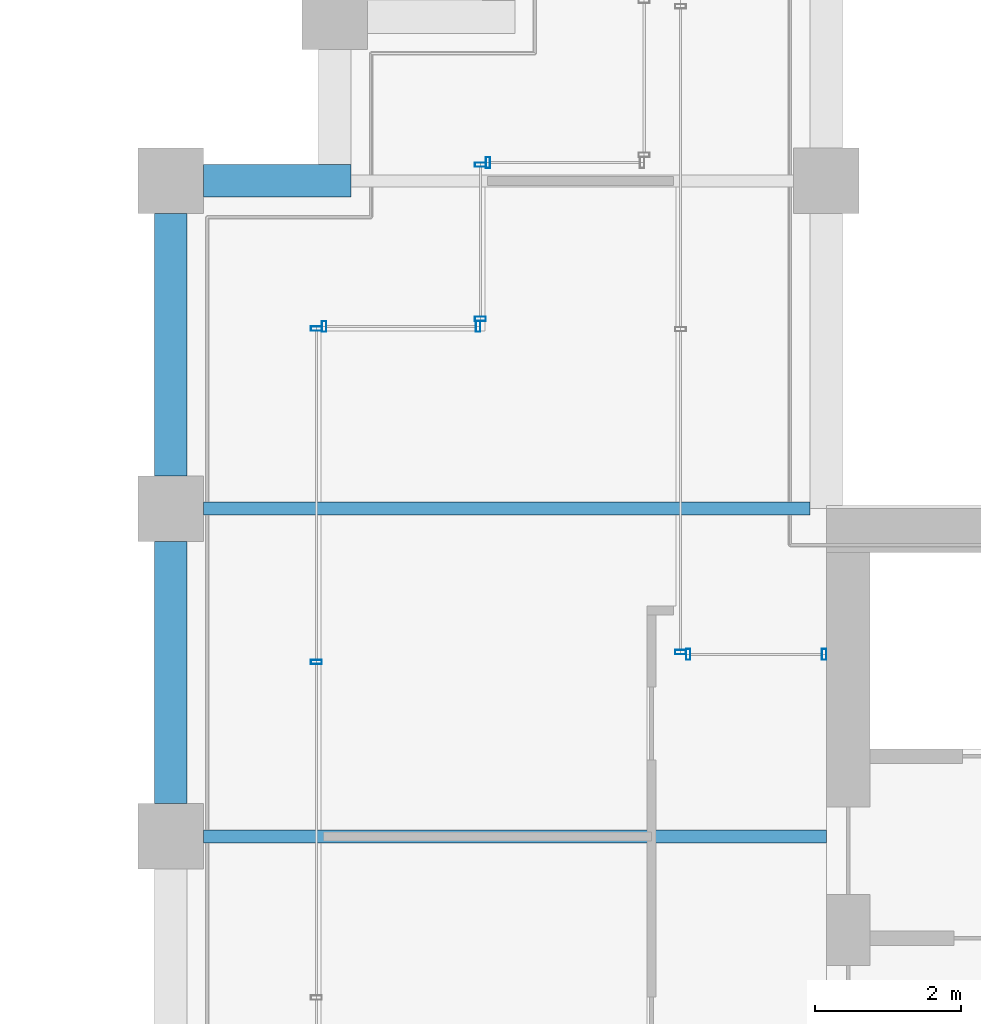
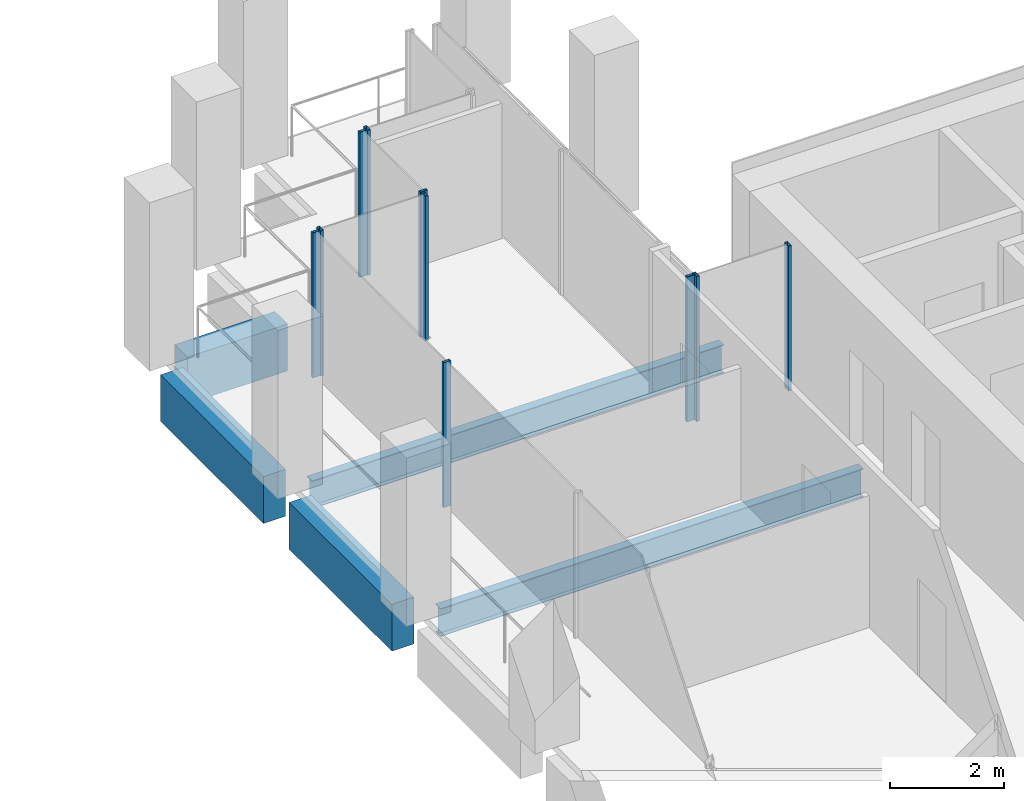
# One storey, part 32 of 40: 10 members, 5 beams, 6 elements without a shape of their own.
"""IFC4 building model written with IfcOpenShell, lengths in metres."""

import ifcopenshell
import ifcopenshell.guid

model = None  # the IFC model being written
_history = None  # IfcOwnerHistory: only IFC2X3 demands one
_inside = {}  # id of a spatial element -> (the spatial element, [elements in it])
_under = {}  # id of a project, library or spatial element -> (it, [spatial elements below it])
_declared = {}  # id of a project -> (the project, [libraries it declares])
_typed = {}  # id of a type object -> (the type object, [elements of that type])
_made_of = {}  # id of a material, layer set ... -> (it, [elements and type objects made of it])


def new_model(schema):
    """Start an empty IFC model of exactly this schema.

    Asked for "IFC4X3", IfcOpenShell would pick the latest addendum, in which some entities
    have other attributes; the version numbers below select the first issue.
    IFC2X3 requires an IfcOwnerHistory on every rooted entity: one is made here for all.
    """
    global model, _history
    if schema == "IFC4X3":
        model = ifcopenshell.file(schema_version=(4, 3, 0, 0))
    else:
        model = ifcopenshell.file(schema=schema)
    _inside.clear()
    _under.clear()
    _declared.clear()
    _typed.clear()
    _made_of.clear()
    _history = None
    if model.schema == "IFC2X3":
        org = make("IfcOrganization", Name="unknown")
        user = make(
            "IfcPersonAndOrganization",
            ThePerson=make("IfcPerson", FamilyName="unknown"),
            TheOrganization=org,
        )
        app = make(
            "IfcApplication",
            ApplicationDeveloper=org,
            Version="unknown",
            ApplicationFullName="unknown",
            ApplicationIdentifier="unknown",
        )
        _history = make(
            "IfcOwnerHistory",
            OwningUser=user,
            OwningApplication=app,
            ChangeAction="ADDED",
            CreationDate=0,
        )
    return model


def make(cls, **values):
    """One entity of the class cls with the attributes given. An attribute that is None is left unset."""
    return model.create_entity(
        cls, **{name: value for name, value in values.items() if value is not None}
    )


def rooted(cls, **values):
    """An entity with a GlobalId (a new one), such as an element, a storey or a relation."""
    return make(cls, GlobalId=ifcopenshell.guid.new(), OwnerHistory=_history, **values)


def si_unit(unit_type, name, prefix=None):
    """IfcSIUnit, for example si_unit("LENGTHUNIT", "METRE", prefix="MILLI")."""
    return make("IfcSIUnit", UnitType=unit_type, Prefix=prefix, Name=name)


def assignment(units):
    """IfcUnitAssignment: the units of a project."""
    return None if units is None else make("IfcUnitAssignment", Units=units)


def point(xyz):
    """IfcCartesianPoint."""
    return None if xyz is None else make("IfcCartesianPoint", Coordinates=xyz)


def direction(xyz):
    """IfcDirection."""
    return None if xyz is None else make("IfcDirection", DirectionRatios=xyz)


def frame(location, z_axis=None, x_axis=None):
    """IfcAxis2Placement3D, a coordinate frame: its origin and axes. An axis left out is left unset."""
    return make(
        "IfcAxis2Placement3D",
        Location=point(location),
        Axis=direction(z_axis),
        RefDirection=direction(x_axis),
    )


def frame_2d(location, x_axis=None):
    """IfcAxis2Placement2D, a coordinate frame in the plane: its origin and x axis."""
    return make(
        "IfcAxis2Placement2D", Location=point(location), RefDirection=direction(x_axis)
    )


def origin():
    """The frame at (0, 0, 0) with its axes left unset."""
    return frame((0.0, 0.0, 0.0))


def origin_2d():
    """The frame at (0, 0) in the plane with its x axis left unset."""
    return frame_2d((0.0, 0.0))


def place(relative_to, where):
    """IfcLocalPlacement: puts the frame where relative to a parent placement (None: the world)."""
    return make(
        "IfcLocalPlacement", PlacementRelTo=relative_to, RelativePlacement=where
    )


def context(
    kind, dimensions, precision=None, world=None, true_north=None, identifier=None
):
    """IfcGeometricRepresentationContext, for example the 3D "Model" context."""
    return make(
        "IfcGeometricRepresentationContext",
        ContextIdentifier=identifier,
        ContextType=kind,
        CoordinateSpaceDimension=dimensions,
        Precision=precision,
        WorldCoordinateSystem=world,
        TrueNorth=true_north,
    )


def subcontext(parent, identifier, kind, view, scale=None):
    """IfcGeometricRepresentationSubContext, for example "Body" below "Model"."""
    return make(
        "IfcGeometricRepresentationSubContext",
        ContextIdentifier=identifier,
        ContextType=kind,
        ParentContext=parent,
        TargetScale=scale,
        TargetView=view,
    )


def project(units=None, contexts=None):
    """IfcProject with its units and contexts."""
    return rooted(
        "IfcProject",
        Name="project",
        RepresentationContexts=contexts,
        UnitsInContext=assignment(units),
    )


def spatial(cls, under=None, at=None, **own):
    """A site, building, storey or space (cls), placed at a placement, below another one or the project."""
    s = rooted(cls, ObjectPlacement=at, **own)
    if under is not None:
        _under.setdefault(under.id(), (under, []))[1].append(s)
    return s


def profile(cls, at=None, kind="AREA", **sizes):
    """A parametric profile (cls). Its sizes go by their IFC names, for example OverallWidth=200.0."""
    return make(cls, ProfileType=kind, Position=at, **sizes)


def rectangle(**sizes):
    """IfcRectangleProfileDef."""
    return profile("IfcRectangleProfileDef", **sizes)


def hollow_rectangle(**sizes):
    """IfcRectangleHollowProfileDef."""
    return profile("IfcRectangleHollowProfileDef", **sizes)


def i_section(**sizes):
    """IfcIShapeProfileDef."""
    return profile("IfcIShapeProfileDef", **sizes)


def extrude(swept, where, along, depth):
    """IfcExtrudedAreaSolid: the profile swept, set in the frame where, extruded along a direction by depth."""
    return make(
        "IfcExtrudedAreaSolid",
        SweptArea=swept,
        Position=where,
        ExtrudedDirection=direction(along),
        Depth=depth,
    )


def shape(context_of_items, identifier, shape_type, items):
    """IfcShapeRepresentation: the items that make up one representation, for example the "Body"."""
    return make(
        "IfcShapeRepresentation",
        ContextOfItems=context_of_items,
        RepresentationIdentifier=identifier,
        RepresentationType=shape_type,
        Items=items,
    )


def material(Name=None, Category=None):
    """IfcMaterial."""
    return make("IfcMaterial", Name=Name, Category=Category)


def material_profile(
    of_material, cross_section, Name=None, Category=None, Priority=None
):
    """IfcMaterialProfile: a cross section and its material."""
    return make(
        "IfcMaterialProfile",
        Name=Name,
        Material=of_material,
        Profile=cross_section,
        Priority=Priority,
        Category=Category,
    )


def profile_set(profiles, Name=None, composite=None):
    """IfcMaterialProfileSet."""
    return make(
        "IfcMaterialProfileSet",
        Name=Name,
        MaterialProfiles=profiles,
        CompositeProfile=composite,
    )


def made_of(thing, what):
    """Note that an element or type object is made of a material, layer set ...; save() writes the relation."""
    if what is not None:
        _made_of.setdefault(what.id(), (what, []))[1].append(thing)
    return thing


def type_object(cls, material=None, **own):
    """A type object (cls), such as IfcWallType, which elements share."""
    return made_of(rooted(cls, **own), material)


def element(
    cls,
    number,
    at=None,
    inside=None,
    cuts=None,
    type_object=None,
    material=None,
    context=None,
    identifier="Body",
    shape_type=None,
    held_by="IfcProductDefinitionShape",
    body=None,
    shapes=None,
    **own,
):
    """One element of the class cls, such as IfcWall. Its Tag is "e" and its number.

    at: its placement. inside: the storey or other place that contains it. cuts: it is an
    opening in that element (IfcRelVoidsElement). A single representation is given by context,
    identifier, shape_type and body (its items); several are given by shapes. held_by: the class
    of the entity that holds the representations. save() writes the other relations.
    """
    e = rooted(cls, Tag="e%d" % number, ObjectPlacement=at, **own)
    if body is not None:
        shapes = [shape(context, identifier, shape_type, body)]
    if shapes is not None:
        e.Representation = make(held_by, Representations=shapes)
    if inside is not None:
        _inside.setdefault(inside.id(), (inside, []))[1].append(e)
    if cuts is not None:
        rooted(
            "IfcRelVoidsElement", RelatingBuildingElement=cuts, RelatedOpeningElement=e
        )
    if type_object is not None:
        _typed.setdefault(type_object.id(), (type_object, []))[1].append(e)
    return made_of(e, material)


def aggregate(whole, parts):
    """IfcRelAggregates: a whole, such as a stair, and the parts it consists of."""
    return rooted("IfcRelAggregates", RelatingObject=whole, RelatedObjects=parts)


def save(model, path):
    """Write the relations noted so far, then the file.

    IfcRelAggregates (storeys below a building ...), IfcRelContainedInSpatialStructure (elements
    in a storey), IfcRelDefinesByType, IfcRelAssociatesMaterial and IfcRelDeclares: one each for
    every whole, place, type object, material and project.
    """
    for whole, parts in _under.values():
        aggregate(whole, parts)
    for where, things in _inside.values():
        rooted(
            "IfcRelContainedInSpatialStructure",
            RelatedElements=things,
            RelatingStructure=where,
        )
    for kind, things in _typed.values():
        rooted("IfcRelDefinesByType", RelatedObjects=things, RelatingType=kind)
    for what, things in _made_of.values():
        rooted("IfcRelAssociatesMaterial", RelatedObjects=things, RelatingMaterial=what)
    for by, libraries in _declared.values():
        rooted("IfcRelDeclares", RelatingContext=by, RelatedDefinitions=libraries)
    model.write(path)


model = new_model("IFC4")

# Units and contexts
model_context = context("Model", 3, precision=1e-05, world=origin(), true_north=direction((0.0, 1.0)))
body_context = subcontext(model_context, "Body", "Model", "MODEL_VIEW")
ifc_project = project(units=[si_unit("LENGTHUNIT", "METRE"), si_unit("AREAUNIT", "SQUARE_METRE"), si_unit("VOLUMEUNIT", "CUBIC_METRE"), si_unit("PLANEANGLEUNIT", "RADIAN"), si_unit("MASSUNIT", "GRAM", prefix="KILO")], contexts=[model_context])

# Site, building, storey
site_placement = place(None, origin())
site = spatial("IfcSite", under=ifc_project, at=site_placement, CompositionType="ELEMENT")
building_placement = place(site_placement, origin())
building = spatial("IfcBuilding", under=site, at=building_placement, Name="Altepetl Exchange Towers", CompositionType="ELEMENT")
storey_placement = place(building_placement, frame((0.0, 0.0, 176.199951171875)))
storey = spatial("IfcBuildingStorey", under=building, at=storey_placement, Name="L44", CompositionType="ELEMENT", Elevation=176.199951171875)

# Beams
ifc_material_1 = material(Name="Steel S355", Category="steel")
ifc_material_profile_1 = material_profile(ifc_material_1, i_section(OverallWidth=0.177978515625, OverallDepth=0.59912109375, WebThickness=0.010009765625, FlangeThickness=0.0126953125, at=origin_2d()), Name="W24X55")
ifc_profile_set_1 = profile_set([ifc_material_profile_1], Name="Steel S355")
beam_type_1 = type_object("IfcBeamType", Name="Floor beam W24X55", PredefinedType="BEAM", material=ifc_profile_set_1)
beam_1_placement = place(storey_placement, frame((94.949951171875, 45.0, -0.449462890625), z_axis=(1.0, 0.0, 0.0), x_axis=(0.0, 1.0, 0.0)))
element("IfcBeam", 1, at=beam_1_placement, inside=storey, type_object=beam_type_1, Name="bm:B:L44:005", PredefinedType="BEAM", context=body_context, shape_type="SweptSolid", body=[
    extrude(i_section(OverallWidth=0.177978515625, OverallDepth=0.59912109375, WebThickness=0.010009765625, FlangeThickness=0.0126953125, at=origin_2d()), origin(), (0.0, 0.0, 1.0), 8.550048828125),
])
beam_2_placement = place(storey_placement, frame((94.949951171875, 49.5, -0.449462890625), z_axis=(1.0, 0.0, 0.0), x_axis=(0.0, 1.0, 0.0)))
element("IfcBeam", 2, at=beam_2_placement, inside=storey, type_object=beam_type_1, Name="bm:B:L44:006", PredefinedType="BEAM", context=body_context, shape_type="SweptSolid", body=[
    extrude(i_section(OverallWidth=0.177978515625, OverallDepth=0.59912109375, WebThickness=0.010009765625, FlangeThickness=0.0126953125, at=origin_2d()), origin(), (0.0, 0.0, 1.0), 8.324951171875),
])

# Curtain wall, members
ifc_material_2 = material(Name="Aluminium 6063-T6 glazing", Category="aluminium")
curtain_wall_type = type_object("IfcCurtainWallType", Name="Loggia glazing system", PredefinedType="NOTDEFINED", material=ifc_material_2)
curtain_wall_1_placement = place(storey_placement, origin())
curtain_wall_1 = element("IfcCurtainWall", 3, at=curtain_wall_1_placement, inside=storey, type_object=curtain_wall_type, Name="CW1 run", PredefinedType="NOTDEFINED")
ifc_material_3 = material(Name="Aluminium 6063-T6", Category="aluminium")
ifc_material_profile_2 = material_profile(ifc_material_3, hollow_rectangle(XDim=0.06005859375, YDim=0.14990234375, WallThickness=0.0029296875, at=origin_2d()), Name="Mullion 60x150 aluminium")
ifc_profile_set_2 = profile_set([ifc_material_profile_2], Name="Aluminium 6063-T6")
member_type = type_object("IfcMemberType", Name="Mullion 60x150 aluminium", PredefinedType="MULLION", material=ifc_profile_set_2)
member_1_placement = place(storey_placement, frame((103.469970703125, 47.5, 0.0), z_axis=(0.0, 0.0, 1.0), x_axis=(-1.0, 0.0, 0.0)))
member_1 = element("IfcMember", 4, at=member_1_placement, type_object=member_type, Name="MU1 mullion", PredefinedType="MULLION", context=body_context, shape_type="SweptSolid", body=[
    extrude(hollow_rectangle(XDim=0.06005859375, YDim=0.14990234375, WallThickness=0.0029296875, at=origin_2d()), origin(), (0.0, 0.0, 1.0), 3.10009765625),
])
member_2_placement = place(storey_placement, frame((101.60498046875, 47.5, 0.0), z_axis=(0.0, 0.0, 1.0), x_axis=(-1.0, 0.0, 0.0)))
member_2 = element("IfcMember", 5, at=member_2_placement, type_object=member_type, Name="MU1 mullion", PredefinedType="MULLION", context=body_context, shape_type="SweptSolid", body=[
    extrude(hollow_rectangle(XDim=0.06005859375, YDim=0.14990234375, WallThickness=0.0029296875, at=origin_2d()), origin(), (0.0, 0.0, 1.0), 3.10009765625),
])
aggregate(curtain_wall_1, [member_1, member_2])

# Curtain wall, member
curtain_wall_2_placement = place(storey_placement, origin())
curtain_wall_2 = element("IfcCurtainWall", 6, at=curtain_wall_2_placement, inside=storey, type_object=curtain_wall_type, Name="CW1 run", PredefinedType="NOTDEFINED")
member_3_placement = place(storey_placement, frame((101.5, 47.530029296875, 0.0), z_axis=(0.0, 0.0, 1.0), x_axis=(0.0, 1.0, 0.0)))
member_3 = element("IfcMember", 7, at=member_3_placement, type_object=member_type, Name="MU1 mullion", PredefinedType="MULLION", context=body_context, shape_type="SweptSolid", body=[
    extrude(hollow_rectangle(XDim=0.06005859375, YDim=0.14990234375, WallThickness=0.0029296875, at=origin_2d()), origin(), (0.0, 0.0, 1.0), 3.10009765625),
])
aggregate(curtain_wall_2, [member_3])

curtain_wall_3_placement = place(storey_placement, origin())
curtain_wall_3 = element("IfcCurtainWall", 8, at=curtain_wall_3_placement, inside=storey, type_object=curtain_wall_type, Name="CW1 run", PredefinedType="NOTDEFINED")
member_4_placement = place(storey_placement, frame((98.85498046875, 54.25, 0.0), z_axis=(0.0, 0.0, 1.0), x_axis=(-1.0, 0.0, 0.0)))
member_4 = element("IfcMember", 9, at=member_4_placement, type_object=member_type, Name="MU1 mullion", PredefinedType="MULLION", context=body_context, shape_type="SweptSolid", body=[
    extrude(hollow_rectangle(XDim=0.06005859375, YDim=0.14990234375, WallThickness=0.0029296875, at=origin_2d()), origin(), (0.0, 0.0, 1.0), 3.10009765625),
])
aggregate(curtain_wall_3, [member_4])

# Curtain wall, members
curtain_wall_4_placement = place(storey_placement, origin())
curtain_wall_4 = element("IfcCurtainWall", 10, at=curtain_wall_4_placement, inside=storey, type_object=curtain_wall_type, Name="CW1 run", PredefinedType="NOTDEFINED")
member_5_placement = place(storey_placement, frame((98.75, 54.219970703125, 0.0), z_axis=(0.0, 0.0, 1.0), x_axis=(0.0, -1.0, 0.0)))
member_5 = element("IfcMember", 11, at=member_5_placement, type_object=member_type, Name="MU1 mullion", PredefinedType="MULLION", context=body_context, shape_type="SweptSolid", body=[
    extrude(hollow_rectangle(XDim=0.06005859375, YDim=0.14990234375, WallThickness=0.0029296875, at=origin_2d()), origin(), (0.0, 0.0, 1.0), 3.10009765625),
])
member_6_placement = place(storey_placement, frame((98.75, 52.10498046875, 0.0), z_axis=(0.0, 0.0, 1.0), x_axis=(0.0, -1.0, 0.0)))
member_6 = element("IfcMember", 12, at=member_6_placement, type_object=member_type, Name="MU1 mullion", PredefinedType="MULLION", context=body_context, shape_type="SweptSolid", body=[
    extrude(hollow_rectangle(XDim=0.06005859375, YDim=0.14990234375, WallThickness=0.0029296875, at=origin_2d()), origin(), (0.0, 0.0, 1.0), 3.10009765625),
])
aggregate(curtain_wall_4, [member_5, member_6])

curtain_wall_5_placement = place(storey_placement, origin())
curtain_wall_5 = element("IfcCurtainWall", 13, at=curtain_wall_5_placement, inside=storey, type_object=curtain_wall_type, Name="CW1 run", PredefinedType="NOTDEFINED")
member_7_placement = place(storey_placement, frame((98.719970703125, 52.0, 0.0), z_axis=(0.0, 0.0, 1.0), x_axis=(-1.0, 0.0, 0.0)))
member_7 = element("IfcMember", 14, at=member_7_placement, type_object=member_type, Name="MU1 mullion", PredefinedType="MULLION", context=body_context, shape_type="SweptSolid", body=[
    extrude(hollow_rectangle(XDim=0.06005859375, YDim=0.14990234375, WallThickness=0.0029296875, at=origin_2d()), origin(), (0.0, 0.0, 1.0), 3.10009765625),
])
member_8_placement = place(storey_placement, frame((96.60498046875, 52.0, 0.0), z_axis=(0.0, 0.0, 1.0), x_axis=(-1.0, 0.0, 0.0)))
member_8 = element("IfcMember", 15, at=member_8_placement, type_object=member_type, Name="MU1 mullion", PredefinedType="MULLION", context=body_context, shape_type="SweptSolid", body=[
    extrude(hollow_rectangle(XDim=0.06005859375, YDim=0.14990234375, WallThickness=0.0029296875, at=origin_2d()), origin(), (0.0, 0.0, 1.0), 3.10009765625),
])
aggregate(curtain_wall_5, [member_7, member_8])

curtain_wall_6_placement = place(storey_placement, origin())
curtain_wall_6 = element("IfcCurtainWall", 16, at=curtain_wall_6_placement, inside=storey, type_object=curtain_wall_type, Name="CW1 run", PredefinedType="NOTDEFINED")
member_9_placement = place(storey_placement, frame((96.5, 51.969970703125, 0.0), z_axis=(0.0, 0.0, 1.0), x_axis=(0.0, -1.0, 0.0)))
member_9 = element("IfcMember", 17, at=member_9_placement, type_object=member_type, Name="MU1 mullion", PredefinedType="MULLION", context=body_context, shape_type="SweptSolid", body=[
    extrude(hollow_rectangle(XDim=0.06005859375, YDim=0.14990234375, WallThickness=0.0029296875, at=origin_2d()), origin(), (0.0, 0.0, 1.0), 3.10009765625),
])
member_10_placement = place(storey_placement, frame((96.5, 47.393798828125, 0.0), z_axis=(0.0, 0.0, 1.0), x_axis=(0.0, -1.0, 0.0)))
member_10 = element("IfcMember", 18, at=member_10_placement, type_object=member_type, Name="MU1 mullion", PredefinedType="MULLION", context=body_context, shape_type="SweptSolid", body=[
    extrude(hollow_rectangle(XDim=0.06005859375, YDim=0.14990234375, WallThickness=0.0029296875, at=origin_2d()), origin(), (0.0, 0.0, 1.0), 3.10009765625),
])
aggregate(curtain_wall_6, [member_9, member_10])

# Beams
ifc_material_4 = material(Name="Concrete C50/60 precast with cantera rosa facing", Category="concrete")
ifc_material_profile_3 = material_profile(ifc_material_4, rectangle(XDim=0.449951171875, YDim=1.0, at=origin_2d()), Name="450 x 1000")
ifc_profile_set_3 = profile_set([ifc_material_profile_3], Name="Concrete C50/60 precast with cantera rosa facing")
beam_type_2 = type_object("IfcBeamType", Name="Spandrel beam 450x1000 cantera rosa", PredefinedType="SPANDREL", material=ifc_profile_set_3)
beam_3_placement = place(storey_placement, frame((96.97509765625, 54.0, -0.64990234375), z_axis=(-1.0, 0.0, 0.0), x_axis=(0.0, -1.0, 0.0)))
element("IfcBeam", 19, at=beam_3_placement, inside=storey, type_object=beam_type_2, Name="sp:B:L44:014", PredefinedType="SPANDREL", context=body_context, shape_type="SweptSolid", body=[
    extrude(rectangle(XDim=0.449951171875, YDim=1.0, at=origin_2d()), origin(), (0.0, 0.0, 1.0), 2.025146484375),
])
for number, where, z_axis, x_axis, name in (
    (20, (94.5, 53.550048828125, -0.64990234375), (0.0, -1.0, 0.0), (1.0, 0.0, 0.0), "sp:B:L44:015"),
    (21, (94.5, 49.050048828125, -0.64990234375), (0.0, -1.0, 0.0), (1.0, 0.0, 0.0), "sp:B:L44:016"),
):
    element("IfcBeam", number, at=place(storey_placement, frame(where, z_axis=z_axis, x_axis=x_axis)), inside=storey, type_object=beam_type_2, Name=name, PredefinedType="SPANDREL", context=body_context, shape_type="SweptSolid", body=[
        extrude(rectangle(XDim=0.449951171875, YDim=1.0, at=origin_2d()), origin(), (0.0, 0.0, 1.0), 3.60009765625),
    ])

save(model, "model.ifc")
